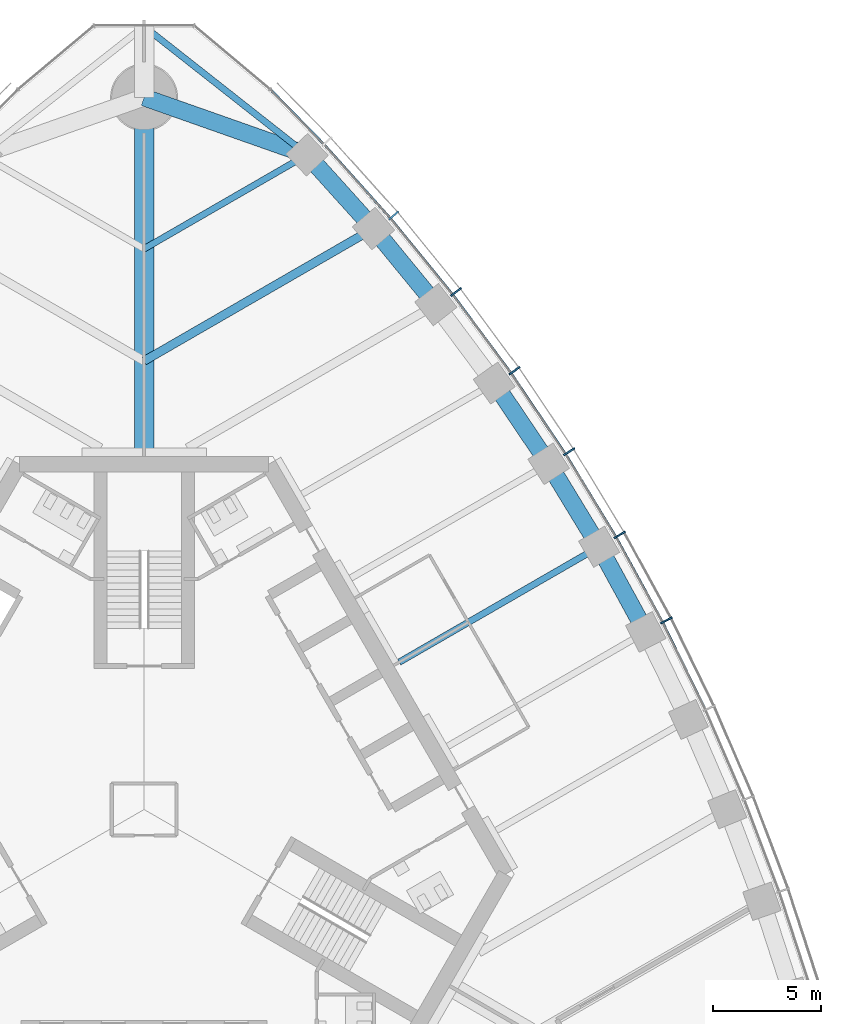
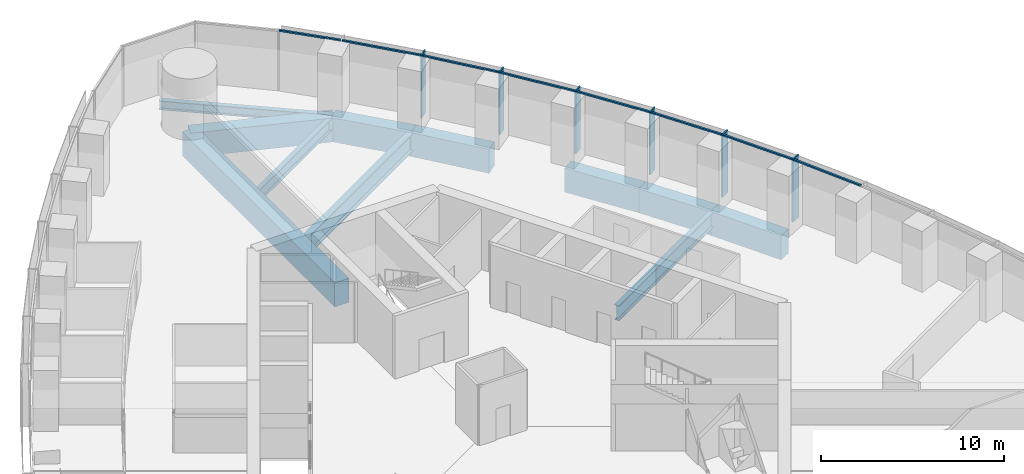
# One storey, part 7 of 19: 14 members, 11 beams, 1 element without a shape of its own.
"""IFC4 building model written with IfcOpenShell, lengths in metres."""

from ifc_helpers import new_model, si_unit, direction, frame, origin, origin_2d, place, context, subcontext, project, spatial, rectangle, i_section, extrude, material, material_profile, profile_set, type_object, element, aggregate, save


model = new_model("IFC4")

# Units and contexts
model_context = context("Model", 3, precision=1e-05, world=origin(), true_north=direction((0.0, 1.0)))
body_context = subcontext(model_context, "Body", "Model", "MODEL_VIEW")
ifc_project = project(units=[si_unit("LENGTHUNIT", "METRE"), si_unit("AREAUNIT", "SQUARE_METRE"), si_unit("VOLUMEUNIT", "CUBIC_METRE"), si_unit("PLANEANGLEUNIT", "RADIAN"), si_unit("MASSUNIT", "GRAM", prefix="KILO")], contexts=[model_context])

# Site, building, storey
site_placement = place(None, origin())
site = spatial("IfcSite", under=ifc_project, at=site_placement, CompositionType="ELEMENT")
building_placement = place(site_placement, origin())
building = spatial("IfcBuilding", under=site, at=building_placement, Name="Trefoil Bronze Tower", CompositionType="ELEMENT")
storey_placement = place(building_placement, frame((0.0, 0.0, 244.300048828125)))
storey = spatial("IfcBuildingStorey", under=building, at=storey_placement, Name="L56", CompositionType="ELEMENT", Elevation=244.300048828125)

# Curtain wall, members
ifc_material_1 = material(Name="Tinted solar-control glass", Category="glass")
curtain_wall_type = type_object("IfcCurtainWallType", Name="Bronze office curtain wall", PredefinedType="USERDEFINED", material=ifc_material_1)
curtain_wall_placement = place(storey_placement, origin())
curtain_wall = element("IfcCurtainWall", 1, at=curtain_wall_placement, inside=storey, type_object=curtain_wall_type, Name="CW-A L56 F2", ObjectType="CURTAIN WALL", PredefinedType="USERDEFINED")
ifc_material_2 = material(Name="Bronze-finish aluminium", Category="aluminium")
ifc_material_profile_1 = material_profile(ifc_material_2, rectangle(XDim=0.60009765625, YDim=0.080078125, at=origin_2d()), Name="CW-A mullion")
ifc_profile_set_1 = profile_set([ifc_material_profile_1], Name="Bronze-finish aluminium")
member_type_1 = type_object("IfcMemberType", Name="Bronze office curtain wall mullion", PredefinedType="MULLION", material=ifc_profile_set_1)
member_1_placement = place(storey_placement, frame((24.2080078125, 8.764404296875, 0.0), z_axis=(0.0, 0.0, 1.0), x_axis=(-0.888088206965, -0.459673075837, 0.0)))
member_1 = element("IfcMember", 2, at=member_1_placement, type_object=member_type_1, Name="CW-A L56 F2 mullion 6", PredefinedType="MULLION", context=body_context, shape_type="SweptSolid", body=[
    extrude(rectangle(XDim=0.60009765625, YDim=0.080078125, at=origin_2d()), origin(), (0.0, 0.0, 1.0), 4.179931640625),
])
member_2_placement = place(storey_placement, frame((22.041015625, 12.725341796875, 0.0), z_axis=(0.0, 0.0, 1.0), x_axis=(-0.866025403784, -0.5, 0.0)))
member_2 = element("IfcMember", 3, at=member_2_placement, type_object=member_type_1, Name="CW-A L56 F2 mullion 7", PredefinedType="MULLION", context=body_context, shape_type="SweptSolid", body=[
    extrude(rectangle(XDim=0.60009765625, YDim=0.080078125, at=origin_2d()), origin(), (0.0, 0.0, 1.0), 4.179931640625),
])
member_3_placement = place(storey_placement, frame((19.694091796875, 16.58251953125, 0.0), z_axis=(0.0, 0.0, 1.0), x_axis=(-0.842132664593, -0.539270410114, 0.0)))
member_3 = element("IfcMember", 4, at=member_3_placement, type_object=member_type_1, Name="CW-A L56 F2 mullion 8", PredefinedType="MULLION", context=body_context, shape_type="SweptSolid", body=[
    extrude(rectangle(XDim=0.60009765625, YDim=0.080078125, at=origin_2d()), origin(), (0.0, 0.0, 1.0), 4.179931640625),
])
member_4_placement = place(storey_placement, frame((17.167236328125, 20.335693359375, 0.0), z_axis=(0.0, 0.0, 1.0), x_axis=(-0.81640398396, -0.577481198806, 0.0)))
member_4 = element("IfcMember", 5, at=member_4_placement, type_object=member_type_1, Name="CW-A L56 F2 mullion 9", PredefinedType="MULLION", context=body_context, shape_type="SweptSolid", body=[
    extrude(rectangle(XDim=0.60009765625, YDim=0.080078125, at=origin_2d()), origin(), (0.0, 0.0, 1.0), 4.179931640625),
])
member_5_placement = place(storey_placement, frame((14.45849609375, 23.98388671875, 0.0), z_axis=(0.0, 0.0, 1.0), x_axis=(-0.788821461078, -0.614622406476, 0.0)))
member_5 = element("IfcMember", 6, at=member_5_placement, type_object=member_type_1, Name="CW-A L56 F2 mullion 10", PredefinedType="MULLION", context=body_context, shape_type="SweptSolid", body=[
    extrude(rectangle(XDim=0.60009765625, YDim=0.080078125, at=origin_2d()), origin(), (0.0, 0.0, 1.0), 4.179931640625),
])
member_6_placement = place(storey_placement, frame((11.564697265625, 27.525146484375, 0.0), z_axis=(0.0, 0.0, 1.0), x_axis=(-0.75935470958, -0.650676897576, 0.0)))
member_6 = element("IfcMember", 7, at=member_6_placement, type_object=member_type_1, Name="CW-A L56 F2 mullion 11", PredefinedType="MULLION", context=body_context, shape_type="SweptSolid", body=[
    extrude(rectangle(XDim=0.60009765625, YDim=0.080078125, at=origin_2d()), origin(), (0.0, 0.0, 1.0), 4.179931640625),
])
ifc_material_3 = material(Name="Bronze-finish aluminium", Category="aluminium")
ifc_material_profile_2 = material_profile(ifc_material_3, rectangle(XDim=0.1201171875, YDim=0.10009765625, at=origin_2d()), Name="CW-A transom")
ifc_profile_set_2 = profile_set([ifc_material_profile_2], Name="Bronze-finish aluminium")
member_type_2 = type_object("IfcMemberType", Name="Bronze office curtain wall transom", PredefinedType="USERDEFINED", material=ifc_profile_set_2)
member_7_placement = place(storey_placement, frame((25.99462890625, 4.65380859375, 4.1298828125), z_axis=(-0.439150835991, 0.898413347657, 0.0), x_axis=(-0.898413347657, -0.439150835991, 0.0)))
member_7 = element("IfcMember", 8, at=member_7_placement, type_object=member_type_2, Name="CW-A L56 F2 transom 5", ObjectType="TRANSOM", PredefinedType="USERDEFINED", context=body_context, shape_type="SweptSolid", body=[
    extrude(rectangle(XDim=0.1201171875, YDim=0.10009765625, at=origin_2d()), origin(), (0.0, 0.0, 1.0), 4.430908203125),
])
member_8_placement = place(storey_placement, frame((24.010009765625, 8.70947265625, 4.1298828125), z_axis=(-0.479973729071, 0.877282861683, 0.0), x_axis=(-0.877282861683, -0.479973729071, 0.0)))
member_8 = element("IfcMember", 9, at=member_8_placement, type_object=member_type_2, Name="CW-A L56 F2 transom 6", ObjectType="TRANSOM", PredefinedType="USERDEFINED", context=body_context, shape_type="SweptSolid", body=[
    extrude(rectangle(XDim=0.1201171875, YDim=0.10009765625, at=origin_2d()), origin(), (0.0, 0.0, 1.0), 4.421142578125),
])
member_9_placement = place(storey_placement, frame((21.845703125, 12.661376953125, 4.1298828125), z_axis=(-0.519740214649, 0.854324358354, 0.0), x_axis=(-0.854324358354, -0.519740214649, 0.0)))
member_9 = element("IfcMember", 10, at=member_9_placement, type_object=member_type_2, Name="CW-A L56 F2 transom 7", ObjectType="TRANSOM", PredefinedType="USERDEFINED", context=body_context, shape_type="SweptSolid", body=[
    extrude(rectangle(XDim=0.1201171875, YDim=0.10009765625, at=origin_2d()), origin(), (0.0, 0.0, 1.0), 4.421142578125),
])
member_10_placement = place(storey_placement, frame((19.502197265625, 16.509765625, 4.1298828125), z_axis=(-0.558509087547, 0.829498402125, 0.0), x_axis=(-0.829498402125, -0.558509087547, 0.0)))
member_10 = element("IfcMember", 11, at=member_10_placement, type_object=member_type_2, Name="CW-A L56 F2 transom 8", ObjectType="TRANSOM", PredefinedType="USERDEFINED", context=body_context, shape_type="SweptSolid", body=[
    extrude(rectangle(XDim=0.1201171875, YDim=0.10009765625, at=origin_2d()), origin(), (0.0, 0.0, 1.0), 4.4306640625),
])
member_11_placement = place(storey_placement, frame((16.978759765625, 20.254150390625, 4.1298828125), z_axis=(-0.59614822717, 0.802874393191, 0.0), x_axis=(-0.802874393191, -0.59614822717, 0.0)))
member_11 = element("IfcMember", 12, at=member_11_placement, type_object=member_type_2, Name="CW-A L56 F2 transom 9", ObjectType="TRANSOM", PredefinedType="USERDEFINED", context=body_context, shape_type="SweptSolid", body=[
    extrude(rectangle(XDim=0.1201171875, YDim=0.10009765625, at=origin_2d()), origin(), (0.0, 0.0, 1.0), 4.449951171875),
])
member_12_placement = place(storey_placement, frame((14.27392578125, 23.8935546875, 4.1298828125), z_axis=(-0.632756871921, 0.774350528531, 0.0), x_axis=(-0.774350528531, -0.632756871921, 0.0)))
member_12 = element("IfcMember", 13, at=member_12_placement, type_object=member_type_2, Name="CW-A L56 F2 transom 10", ObjectType="TRANSOM", PredefinedType="USERDEFINED", context=body_context, shape_type="SweptSolid", body=[
    extrude(rectangle(XDim=0.1201171875, YDim=0.10009765625, at=origin_2d()), origin(), (0.0, 0.0, 1.0), 4.4794921875),
])
member_13_placement = place(storey_placement, frame((11.384521484375, 27.426513671875, 4.1298828125), z_axis=(-0.66825109551, 0.743935799213, 0.0), x_axis=(-0.743935799213, -0.66825109551, 0.0)))
member_13 = element("IfcMember", 14, at=member_13_placement, type_object=member_type_2, Name="CW-A L56 F2 transom 11", ObjectType="TRANSOM", PredefinedType="USERDEFINED", context=body_context, shape_type="SweptSolid", body=[
    extrude(rectangle(XDim=0.1201171875, YDim=0.10009765625, at=origin_2d()), origin(), (0.0, 0.0, 1.0), 4.519287109375),
])
member_14_placement = place(storey_placement, frame((8.306884765625, 30.85009765625, 4.1298828125), z_axis=(-0.698646935368, 0.715466602785, 0.0), x_axis=(-0.715466602785, -0.698646935368, 0.0)))
member_14 = element("IfcMember", 15, at=member_14_placement, type_object=member_type_2, Name="CW-A L56 F2 transom 12", ObjectType="TRANSOM", PredefinedType="USERDEFINED", context=body_context, shape_type="SweptSolid", body=[
    extrude(rectangle(XDim=0.1201171875, YDim=0.10009765625, at=origin_2d()), origin(), (0.0, 0.0, 1.0), 3.483642578125),
])
aggregate(curtain_wall, [member_1, member_2, member_3, member_4, member_5, member_6, member_7, member_8, member_9, member_10, member_11, member_12, member_13, member_14])

# Beams
ifc_material_4 = material(Name="Steel C355", Category="steel")
ifc_material_profile_3 = material_profile(ifc_material_4, i_section(OverallWidth=0.300048828125, OverallDepth=0.60009765625, WebThickness=0.015380859375, FlangeThickness=0.030029296875, FilletRadius=0.027099609375, at=origin_2d()), Name="HEB 600")
ifc_profile_set_3 = profile_set([ifc_material_profile_3], Name="Steel C355")
beam_type_1 = type_object("IfcBeamType", Name="Corner edge beam HEB 600", PredefinedType="BEAM", material=ifc_profile_set_3)
beam_1_placement = place(storey_placement, frame((7.552001953125, 30.3408203125, -0.5), z_axis=(-0.785805912008, 0.618473175371, 0.0), x_axis=(-0.618473175371, -0.785805912008, 0.0)))
element("IfcBeam", 16, at=beam_1_placement, inside=storey, type_object=beam_type_1, Name="Corner edge beam F2A L56", PredefinedType="BEAM", context=body_context, shape_type="SweptSolid", body=[
    extrude(i_section(OverallWidth=0.300048828125, OverallDepth=0.60009765625, WebThickness=0.015380859375, FlangeThickness=0.030029296875, FilletRadius=0.027099609375, at=origin_2d()), origin(), (0.0, 0.0, 1.0), 9.610595703125),
])
ifc_material_5 = material(Name="Concrete B80", Category="concrete")
ifc_material_profile_4 = material_profile(ifc_material_5, rectangle(XDim=0.89990234375, YDim=1.60009765625, at=origin_2d()), Name="RC 900x1600")
ifc_profile_set_4 = profile_set([ifc_material_profile_4], Name="Concrete B80")
beam_type_2 = type_object("IfcBeamType", Name="Corner girder RC 900x1600", PredefinedType="BEAM", material=ifc_profile_set_4)
beam_2_placement = place(storey_placement, frame((0.0, 16.35009765625, -1.0), z_axis=(0.0, 1.0, 0.0), x_axis=(-1.0, 0.0, 0.0)))
element("IfcBeam", 17, at=beam_2_placement, inside=storey, type_object=beam_type_2, Name="Corner girder K2 L56", PredefinedType="BEAM", context=body_context, shape_type="SweptSolid", body=[
    extrude(rectangle(XDim=0.89990234375, YDim=1.60009765625, at=origin_2d()), origin(), (0.0, 0.0, 1.0), 16.64990234375),
])
ifc_material_6 = material(Name="Concrete B80", Category="concrete")
ifc_material_profile_5 = material_profile(ifc_material_6, rectangle(XDim=0.800048828125, YDim=1.60009765625, at=origin_2d()), Name="RC 800x1600")
ifc_profile_set_5 = profile_set([ifc_material_profile_5], Name="Concrete B80")
beam_type_3 = type_object("IfcBeamType", Name="End spandrel beam RC 800x1600", PredefinedType="SPANDREL", material=ifc_profile_set_5)
beam_3_placement = place(storey_placement, frame((7.552001953125, 30.3408203125, -1.0), z_axis=(-0.943234397359, 0.332127794137, 0.0), x_axis=(-0.332127794137, -0.943234397359, 0.0)))
element("IfcBeam", 18, at=beam_3_placement, inside=storey, type_object=beam_type_3, Name="Spandrel F2.12 L56", PredefinedType="SPANDREL", context=body_context, shape_type="SweptSolid", body=[
    extrude(rectangle(XDim=0.800048828125, YDim=1.60009765625, at=origin_2d()), origin(), (0.0, 0.0, 1.0), 8.006591796875),
])
ifc_material_7 = material(Name="Steel C355", Category="steel")
ifc_material_profile_6 = material_profile(ifc_material_7, i_section(OverallWidth=0.300048828125, OverallDepth=0.800048828125, WebThickness=0.017578125, FlangeThickness=0.032958984375, FilletRadius=0.030029296875, at=origin_2d()), Name="HEB 800")
ifc_profile_set_6 = profile_set([ifc_material_profile_6], Name="Steel C355")
beam_type_4 = type_object("IfcBeamType", Name="Floor beam HEB 800", PredefinedType="BEAM", material=ifc_profile_set_6)
beam_4_placement = place(storey_placement, frame((7.552001953125, 30.3408203125, -0.60009765625), z_axis=(-0.866027535932, -0.499996306993, 0.0), x_axis=(0.499996306993, -0.866027535932, 0.0)))
element("IfcBeam", 19, at=beam_4_placement, inside=storey, type_object=beam_type_4, Name="Floor beam F2/+5 L56", PredefinedType="BEAM", context=body_context, shape_type="SweptSolid", body=[
    extrude(i_section(OverallWidth=0.300048828125, OverallDepth=0.800048828125, WebThickness=0.017578125, FlangeThickness=0.032958984375, FilletRadius=0.030029296875, at=origin_2d()), origin(), (0.0, 0.0, 1.0), 8.72021484375),
])
ifc_material_8 = material(Name="Steel C355", Category="steel")
ifc_material_profile_7 = material_profile(ifc_material_8, i_section(OverallWidth=0.302001953125, OverallDepth=1.008056640625, WebThickness=0.02099609375, FlangeThickness=0.0400390625, FilletRadius=0.030029296875, at=origin_2d()), Name="HEM 1000")
ifc_profile_set_7 = profile_set([ifc_material_profile_7], Name="Steel C355")
beam_type_5 = type_object("IfcBeamType", Name="Floor beam HEM 1000", PredefinedType="BEAM", material=ifc_profile_set_7)
beam_5_placement = place(storey_placement, frame((21.08837890625, 12.17529296875, -0.7041015625), z_axis=(-0.86602601154, -0.499998947334, 0.0), x_axis=(0.499998947334, -0.86602601154, 0.0)))
element("IfcBeam", 20, at=beam_5_placement, inside=storey, type_object=beam_type_5, Name="Floor beam F2/+0 L56", PredefinedType="BEAM", context=body_context, shape_type="SweptSolid", body=[
    extrude(i_section(OverallWidth=0.302001953125, OverallDepth=1.008056640625, WebThickness=0.02099609375, FlangeThickness=0.0400390625, FilletRadius=0.030029296875, at=origin_2d()), origin(), (0.0, 0.0, 1.0), 10.70068359375),
])
ifc_material_9 = material(Name="Steel C355", Category="steel")
ifc_material_profile_8 = material_profile(ifc_material_9, i_section(OverallWidth=0.39990234375, OverallDepth=1.199951171875, WebThickness=0.02001953125, FlangeThickness=0.0400390625, FilletRadius=0.010009765625, at=origin_2d()), Name="WPG 1200")
ifc_profile_set_8 = profile_set([ifc_material_profile_8], Name="Steel C355")
beam_type_6 = type_object("IfcBeamType", Name="Floor beam WPG 1200", PredefinedType="BEAM", material=ifc_profile_set_8)
beam_6_placement = place(storey_placement, frame((10.632080078125, 26.923095703125, -0.800048828125), z_axis=(-0.866025635187, -0.499999599199, 0.0), x_axis=(0.499999599199, -0.866025635187, 0.0)))
element("IfcBeam", 21, at=beam_6_placement, inside=storey, type_object=beam_type_6, Name="Floor beam F2/+4 L56", PredefinedType="BEAM", context=body_context, shape_type="SweptSolid", body=[
    extrude(i_section(OverallWidth=0.39990234375, OverallDepth=1.199951171875, WebThickness=0.02001953125, FlangeThickness=0.0400390625, FilletRadius=0.010009765625, at=origin_2d()), origin(), (0.0, 0.0, 1.0), 12.27685546875),
])
ifc_material_10 = material(Name="Concrete B80", Category="concrete")
ifc_material_profile_9 = material_profile(ifc_material_10, rectangle(XDim=0.800048828125, YDim=1.60009765625, at=origin_2d()), Name="RC 800x1600")
ifc_profile_set_9 = profile_set([ifc_material_profile_9], Name="Concrete B80")
beam_type_7 = type_object("IfcBeamType", Name="Spandrel beam RC 800x1600", PredefinedType="SPANDREL", material=ifc_profile_set_9)
for number, where, z_axis, x_axis, name in (
    (22, (23.248046875, 8.22607421875, -1.0), (-0.479801903802, 0.87737684783, 0.0), (-0.87737684783, -0.479801903802, 0.0), "Spandrel F2.6 L56"),
    (23, (21.08837890625, 12.17529296875, -1.0), (-0.519933181394, 0.854206934464, 0.0), (-0.854206934464, -0.519933181394, 0.0), "Spandrel F2.7 L56"),
):
    element("IfcBeam", number, at=place(storey_placement, frame(where, z_axis=z_axis, x_axis=x_axis)), inside=storey, type_object=beam_type_7, Name=name, PredefinedType="SPANDREL", context=body_context, shape_type="SweptSolid", body=[
        extrude(rectangle(XDim=0.800048828125, YDim=1.60009765625, at=origin_2d()), origin(), (0.0, 0.0, 1.0), 4.501220703125),
    ])
beam_7_placement = place(storey_placement, frame((18.748046875, 16.020263671875, -1.0), z_axis=(-0.558964302753, 0.829191719838, 0.0), x_axis=(-0.829191719838, -0.558964302753, 0.0)))
element("IfcBeam", 24, at=beam_7_placement, inside=storey, type_object=beam_type_7, Name="Spandrel F2.8 L56", PredefinedType="SPANDREL", context=body_context, shape_type="SweptSolid", body=[
    extrude(rectangle(XDim=0.800048828125, YDim=1.60009765625, at=origin_2d()), origin(), (0.0, 0.0, 1.0), 4.510986328125),
])
beam_8_placement = place(storey_placement, frame((13.522216796875, 23.3955078125, -1.0), z_axis=(-0.633753657863, 0.773534938542, 0.0), x_axis=(-0.773534938542, -0.633753657863, 0.0)))
element("IfcBeam", 25, at=beam_8_placement, inside=storey, type_object=beam_type_7, Name="Spandrel F2.10 L56", PredefinedType="SPANDREL", context=body_context, shape_type="SweptSolid", body=[
    extrude(rectangle(XDim=0.800048828125, YDim=1.60009765625, at=origin_2d()), origin(), (0.0, 0.0, 1.0), 4.560302734375),
])
beam_9_placement = place(storey_placement, frame((10.632080078125, 26.923095703125, -1.0), z_axis=(-0.669460045872, 0.742848064534, 0.0), x_axis=(-0.742848064534, -0.669460045872, 0.0)))
element("IfcBeam", 26, at=beam_9_placement, inside=storey, type_object=beam_type_7, Name="Spandrel F2.11 L56", PredefinedType="SPANDREL", context=body_context, shape_type="SweptSolid", body=[
    extrude(rectangle(XDim=0.800048828125, YDim=1.60009765625, at=origin_2d()), origin(), (0.0, 0.0, 1.0), 4.600830078125),
])

save(model, "model.ifc")
